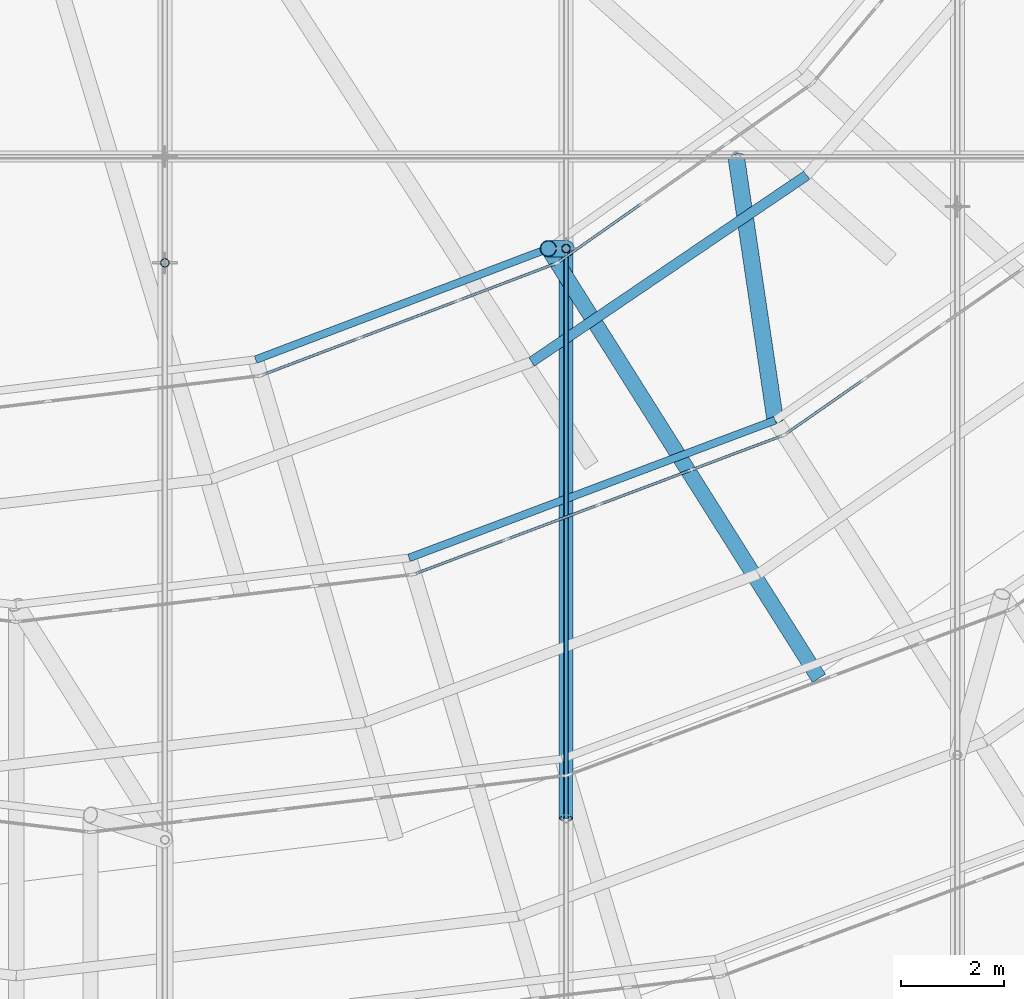
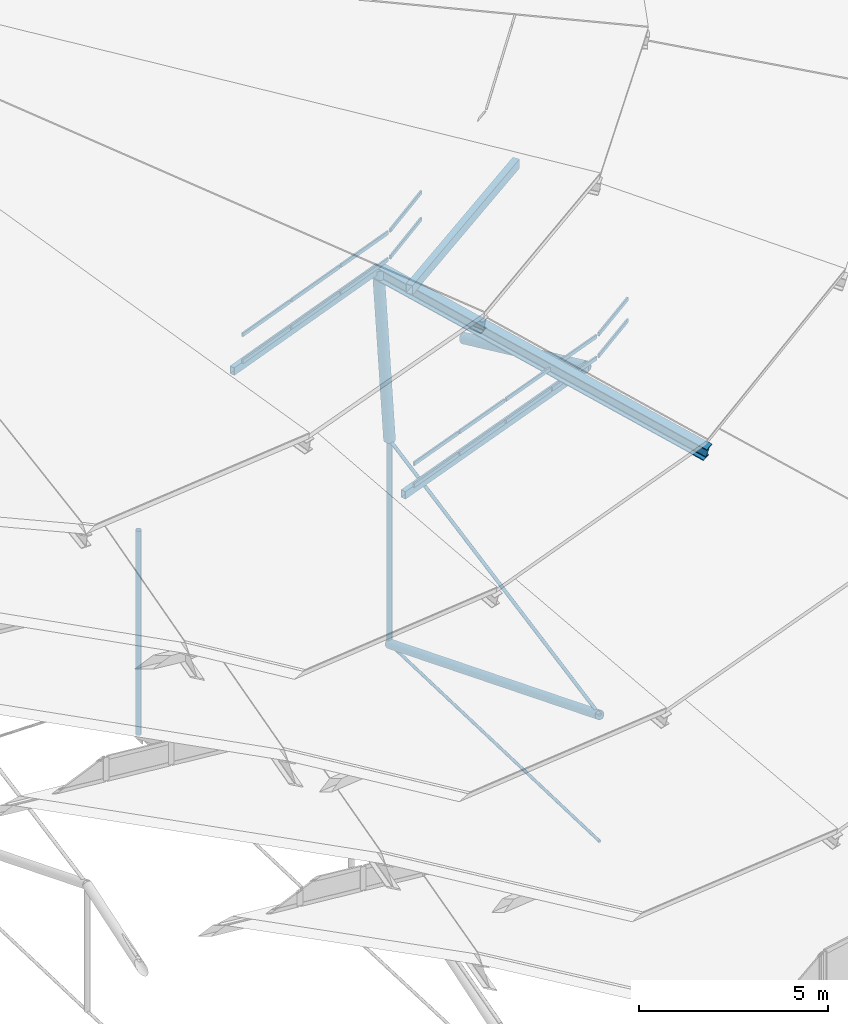
# One storey, part 24 of 173: 29 members, 4 elements without a shape of their own.
"""IFC4 building model written with IfcOpenShell, lengths in metres."""

from ifc_helpers import new_model, si_unit, direction, frame, origin, origin_2d, place, context, subcontext, project, spatial, rectangle, hollow_rectangle, circle, hollow_circle, i_section, extrude, material, material_profile, profile_set, type_object, element, aggregate, save


model = new_model("IFC4")

# Units and contexts
model_context = context("Model", 3, precision=1e-05, world=origin(), true_north=direction((0.0, 1.0)))
body_context = subcontext(model_context, "Body", "Model", "MODEL_VIEW")
ifc_project = project(units=[si_unit("LENGTHUNIT", "METRE"), si_unit("AREAUNIT", "SQUARE_METRE"), si_unit("VOLUMEUNIT", "CUBIC_METRE"), si_unit("PLANEANGLEUNIT", "RADIAN"), si_unit("MASSUNIT", "GRAM", prefix="KILO")], contexts=[model_context])

# Site, building, storey
site_placement = place(None, origin())
site = spatial("IfcSite", under=ifc_project, at=site_placement, CompositionType="ELEMENT")
building_placement = place(site_placement, origin())
building = spatial("IfcBuilding", under=site, at=building_placement, Name="Glasvene Arena", CompositionType="ELEMENT")
storey_placement = place(building_placement, frame((0.0, 0.0, 28.800048828125)))
storey = spatial("IfcBuildingStorey", under=building, at=storey_placement, Name="RF", CompositionType="ELEMENT", Elevation=28.800048828125)

# Curtain wall, members
ifc_material_1 = material(Name="Low-emissivity laminated double glazing", Category="glass")
curtain_wall_type_1 = type_object("IfcCurtainWallType", Name="CW-PET3-772x75", PredefinedType="USERDEFINED", material=ifc_material_1)
curtain_wall_1_placement = place(storey_placement, frame((96.8515625, 44.4267578125, 0.0)))
curtain_wall_1 = element("IfcCurtainWall", 1, at=curtain_wall_1_placement, inside=storey, type_object=curtain_wall_type_1, Name="Petal ring 3-4 clerestory curtain wall 20", ObjectType="CURTAIN WALL", PredefinedType="USERDEFINED")
ifc_material_2 = material(Name="Anodised architectural aluminium", Category="aluminium")
ifc_material_profile_1 = material_profile(ifc_material_2, rectangle(XDim=0.050048828125, YDim=0.1201171875, at=origin_2d()), Name="ALU TRANSOM 50x120")
ifc_profile_set_1 = profile_set([ifc_material_profile_1], Name="Anodised architectural aluminium")
member_type_1 = type_object("IfcMemberType", Name="CW-TRN-120", PredefinedType="USERDEFINED", material=ifc_profile_set_1)
member_1_placement = place(storey_placement, frame((96.8984375, 44.4443359375, 7.85498046875), z_axis=(0.935933620946, 0.352176457452, 0.0), x_axis=(-0.352176457452, 0.935933620946, 0.0)))
member_1 = element("IfcMember", 2, at=member_1_placement, type_object=member_type_1, Name="CW-097 transom 1.1", ObjectType="TRANSOM", PredefinedType="USERDEFINED", context=body_context, shape_type="SweptSolid", body=[
    extrude(rectangle(XDim=0.050048828125, YDim=0.1201171875, at=origin_2d()), origin(), (0.0, 0.0, 1.0), 1.8544921875),
])
member_2_placement = place(storey_placement, frame((96.8984375, 44.4443359375, 8.554931640625), z_axis=(0.935933620946, 0.352176457452, 0.0), x_axis=(-0.352176457452, 0.935933620946, 0.0)))
member_2 = element("IfcMember", 3, at=member_2_placement, type_object=member_type_1, Name="CW-097 transom 1.2", ObjectType="TRANSOM", PredefinedType="USERDEFINED", context=body_context, shape_type="SweptSolid", body=[
    extrude(rectangle(XDim=0.050048828125, YDim=0.1201171875, at=origin_2d()), origin(), (0.0, 0.0, 1.0), 1.8544921875),
])
member_3_placement = place(storey_placement, frame((98.680908203125, 45.114990234375, 7.85498046875), z_axis=(0.935981707796, 0.352048636798, 0.0), x_axis=(-0.352048636798, 0.935981707796, 0.0)))
member_3 = element("IfcMember", 4, at=member_3_placement, type_object=member_type_1, Name="CW-097 transom 2.1", ObjectType="TRANSOM", PredefinedType="USERDEFINED", context=body_context, shape_type="SweptSolid", body=[
    extrude(rectangle(XDim=0.050048828125, YDim=0.1201171875, at=origin_2d()), origin(), (0.0, 0.0, 1.0), 1.87939453125),
])
member_4_placement = place(storey_placement, frame((98.680908203125, 45.114990234375, 8.554931640625), z_axis=(0.935981707796, 0.352048636798, 0.0), x_axis=(-0.352048636798, 0.935981707796, 0.0)))
member_4 = element("IfcMember", 5, at=member_4_placement, type_object=member_type_1, Name="CW-097 transom 2.2", ObjectType="TRANSOM", PredefinedType="USERDEFINED", context=body_context, shape_type="SweptSolid", body=[
    extrude(rectangle(XDim=0.050048828125, YDim=0.1201171875, at=origin_2d()), origin(), (0.0, 0.0, 1.0), 1.87939453125),
])
member_5_placement = place(storey_placement, frame((100.48681640625, 45.794189453125, 7.85498046875), z_axis=(0.935938896958, 0.35216243576, 0.0), x_axis=(-0.35216243576, 0.935938896958, 0.0)))
member_5 = element("IfcMember", 6, at=member_5_placement, type_object=member_type_1, Name="CW-097 transom 3.1", ObjectType="TRANSOM", PredefinedType="USERDEFINED", context=body_context, shape_type="SweptSolid", body=[
    extrude(rectangle(XDim=0.050048828125, YDim=0.1201171875, at=origin_2d()), origin(), (0.0, 0.0, 1.0), 1.87939453125),
])
member_6_placement = place(storey_placement, frame((100.48681640625, 45.794189453125, 8.554931640625), z_axis=(0.935938896958, 0.35216243576, 0.0), x_axis=(-0.35216243576, 0.935938896958, 0.0)))
member_6 = element("IfcMember", 7, at=member_6_placement, type_object=member_type_1, Name="CW-097 transom 3.2", ObjectType="TRANSOM", PredefinedType="USERDEFINED", context=body_context, shape_type="SweptSolid", body=[
    extrude(rectangle(XDim=0.050048828125, YDim=0.1201171875, at=origin_2d()), origin(), (0.0, 0.0, 1.0), 1.87939453125),
])
member_7_placement = place(storey_placement, frame((102.29248046875, 46.4736328125, 7.85498046875), z_axis=(0.935993327029, 0.352017743527, 0.0), x_axis=(-0.352017743527, 0.935993327029, 0.0)))
member_7 = element("IfcMember", 8, at=member_7_placement, type_object=member_type_1, Name="CW-097 transom 4.1", ObjectType="TRANSOM", PredefinedType="USERDEFINED", context=body_context, shape_type="SweptSolid", body=[
    extrude(rectangle(XDim=0.050048828125, YDim=0.1201171875, at=origin_2d()), origin(), (0.0, 0.0, 1.0), 1.8544921875),
])
member_8_placement = place(storey_placement, frame((102.29248046875, 46.4736328125, 8.554931640625), z_axis=(0.935993327029, 0.352017743527, 0.0), x_axis=(-0.352017743527, 0.935993327029, 0.0)))
member_8 = element("IfcMember", 9, at=member_8_placement, type_object=member_type_1, Name="CW-097 transom 4.2", ObjectType="TRANSOM", PredefinedType="USERDEFINED", context=body_context, shape_type="SweptSolid", body=[
    extrude(rectangle(XDim=0.050048828125, YDim=0.1201171875, at=origin_2d()), origin(), (0.0, 0.0, 1.0), 1.8544921875),
])
aggregate(curtain_wall_1, [member_1, member_2, member_3, member_4, member_5, member_6, member_7, member_8])

curtain_wall_type_2 = type_object("IfcCurtainWallType", Name="CW-PET3-756x75", PredefinedType="USERDEFINED", material=ifc_material_1)
curtain_wall_2_placement = place(storey_placement, frame((104.074951171875, 47.14404296875, 0.0)))
curtain_wall_2 = element("IfcCurtainWall", 10, at=curtain_wall_2_placement, inside=storey, type_object=curtain_wall_type_2, Name="Petal ring 3-4 clerestory curtain wall 21", ObjectType="CURTAIN WALL", PredefinedType="USERDEFINED")
member_9_placement = place(storey_placement, frame((104.115966796875, 47.172607421875, 7.85498046875), z_axis=(0.82043066746, 0.571746027438, 0.0), x_axis=(-0.571746027438, 0.82043066746, 0.0)))
member_9 = element("IfcMember", 11, at=member_9_placement, type_object=member_type_1, Name="CW-096 transom 1.1", ObjectType="TRANSOM", PredefinedType="USERDEFINED", context=body_context, shape_type="SweptSolid", body=[
    extrude(rectangle(XDim=0.050048828125, YDim=0.1201171875, at=origin_2d()), origin(), (0.0, 0.0, 1.0), 1.815185546875),
])
member_10_placement = place(storey_placement, frame((104.115966796875, 47.172607421875, 8.554931640625), z_axis=(0.82043066746, 0.571746027438, 0.0), x_axis=(-0.571746027438, 0.82043066746, 0.0)))
member_10 = element("IfcMember", 12, at=member_10_placement, type_object=member_type_1, Name="CW-096 transom 1.2", ObjectType="TRANSOM", PredefinedType="USERDEFINED", context=body_context, shape_type="SweptSolid", body=[
    extrude(rectangle(XDim=0.050048828125, YDim=0.1201171875, at=origin_2d()), origin(), (0.0, 0.0, 1.0), 1.815185546875),
])
aggregate(curtain_wall_2, [member_9, member_10])

curtain_wall_type_3 = type_object("IfcCurtainWallType", Name="CW-PET4-619x92", PredefinedType="USERDEFINED", material=ifc_material_1)
curtain_wall_3_placement = place(storey_placement, frame((93.86181640625, 48.299560546875, 0.0)))
curtain_wall_3 = element("IfcCurtainWall", 13, at=curtain_wall_3_placement, inside=storey, type_object=curtain_wall_type_3, Name="Petal ring 4-5 clerestory curtain wall 20", ObjectType="CURTAIN WALL", PredefinedType="USERDEFINED")
member_11_placement = place(storey_placement, frame((93.908447265625, 48.3173828125, 10.554931640625), z_axis=(0.934868333805, 0.354994645662, 0.0), x_axis=(-0.354994645662, 0.934868333805, 0.0)))
member_11 = element("IfcMember", 14, at=member_11_placement, type_object=member_type_1, Name="CW-103 transom 1.1", ObjectType="TRANSOM", PredefinedType="USERDEFINED", context=body_context, shape_type="SweptSolid", body=[
    extrude(rectangle(XDim=0.050048828125, YDim=0.1201171875, at=origin_2d()), origin(), (0.0, 0.0, 1.0), 1.989013671875),
])
member_12_placement = place(storey_placement, frame((93.908447265625, 48.3173828125, 11.4208984375), z_axis=(0.934868333805, 0.354994645662, 0.0), x_axis=(-0.354994645662, 0.934868333805, 0.0)))
member_12 = element("IfcMember", 15, at=member_12_placement, type_object=member_type_1, Name="CW-103 transom 1.2", ObjectType="TRANSOM", PredefinedType="USERDEFINED", context=body_context, shape_type="SweptSolid", body=[
    extrude(rectangle(XDim=0.050048828125, YDim=0.1201171875, at=origin_2d()), origin(), (0.0, 0.0, 1.0), 1.989013671875),
])
member_13_placement = place(storey_placement, frame((95.814453125, 49.041015625, 10.554931640625), z_axis=(0.934886588793, 0.354946567944, 0.0), x_axis=(-0.354946567944, 0.934886588793, 0.0)))
member_13 = element("IfcMember", 16, at=member_13_placement, type_object=member_type_1, Name="CW-103 transom 2.1", ObjectType="TRANSOM", PredefinedType="USERDEFINED", context=body_context, shape_type="SweptSolid", body=[
    extrude(rectangle(XDim=0.050048828125, YDim=0.1201171875, at=origin_2d()), origin(), (0.0, 0.0, 1.0), 2.013916015625),
])
member_14_placement = place(storey_placement, frame((95.814453125, 49.041015625, 11.4208984375), z_axis=(0.934886588793, 0.354946567944, 0.0), x_axis=(-0.354946567944, 0.934886588793, 0.0)))
member_14 = element("IfcMember", 17, at=member_14_placement, type_object=member_type_1, Name="CW-103 transom 2.2", ObjectType="TRANSOM", PredefinedType="USERDEFINED", context=body_context, shape_type="SweptSolid", body=[
    extrude(rectangle(XDim=0.050048828125, YDim=0.1201171875, at=origin_2d()), origin(), (0.0, 0.0, 1.0), 2.013916015625),
])
member_15_placement = place(storey_placement, frame((97.743896484375, 49.773681640625, 10.554931640625), z_axis=(0.934868333805, 0.354994645662, 0.0), x_axis=(-0.354994645662, 0.934868333805, 0.0)))
member_15 = element("IfcMember", 18, at=member_15_placement, type_object=member_type_1, Name="CW-103 transom 3.1", ObjectType="TRANSOM", PredefinedType="USERDEFINED", context=body_context, shape_type="SweptSolid", body=[
    extrude(rectangle(XDim=0.050048828125, YDim=0.1201171875, at=origin_2d()), origin(), (0.0, 0.0, 1.0), 1.989013671875),
])
member_16_placement = place(storey_placement, frame((97.743896484375, 49.773681640625, 11.4208984375), z_axis=(0.934868333805, 0.354994645662, 0.0), x_axis=(-0.354994645662, 0.934868333805, 0.0)))
member_16 = element("IfcMember", 19, at=member_16_placement, type_object=member_type_1, Name="CW-103 transom 3.2", ObjectType="TRANSOM", PredefinedType="USERDEFINED", context=body_context, shape_type="SweptSolid", body=[
    extrude(rectangle(XDim=0.050048828125, YDim=0.1201171875, at=origin_2d()), origin(), (0.0, 0.0, 1.0), 1.989013671875),
])
aggregate(curtain_wall_3, [member_11, member_12, member_13, member_14, member_15, member_16])

curtain_wall_type_4 = type_object("IfcCurtainWallType", Name="CW-PET4-608x92", PredefinedType="USERDEFINED", material=ifc_material_1)
curtain_wall_4_placement = place(storey_placement, frame((99.64990234375, 50.497314453125, 0.0)))
curtain_wall_4 = element("IfcCurtainWall", 20, at=curtain_wall_4_placement, inside=storey, type_object=curtain_wall_type_4, Name="Petal ring 4-5 clerestory curtain wall 21", ObjectType="CURTAIN WALL", PredefinedType="USERDEFINED")
member_17_placement = place(storey_placement, frame((99.69091796875, 50.526123046875, 10.554931640625), z_axis=(0.81790676282, 0.575350786333, 0.0), x_axis=(-0.575350786333, 0.81790676282, 0.0)))
member_17 = element("IfcMember", 21, at=member_17_placement, type_object=member_type_1, Name="CW-102 transom 1.1", ObjectType="TRANSOM", PredefinedType="USERDEFINED", context=body_context, shape_type="SweptSolid", body=[
    extrude(rectangle(XDim=0.050048828125, YDim=0.1201171875, at=origin_2d()), origin(), (0.0, 0.0, 1.0), 1.95068359375),
])
member_18_placement = place(storey_placement, frame((99.69091796875, 50.526123046875, 11.4208984375), z_axis=(0.81790676282, 0.575350786333, 0.0), x_axis=(-0.575350786333, 0.81790676282, 0.0)))
member_18 = element("IfcMember", 22, at=member_18_placement, type_object=member_type_1, Name="CW-102 transom 1.2", ObjectType="TRANSOM", PredefinedType="USERDEFINED", context=body_context, shape_type="SweptSolid", body=[
    extrude(rectangle(XDim=0.050048828125, YDim=0.1201171875, at=origin_2d()), origin(), (0.0, 0.0, 1.0), 1.95068359375),
])
aggregate(curtain_wall_4, [member_17, member_18])

# Members
ifc_material_3 = material(Name="High-strength steel spiral strand S460", Category="steel")
ifc_material_profile_2 = material_profile(ifc_material_3, circle(Radius=0.052490234375, at=origin_2d()), Name="LCSS D105")
ifc_profile_set_2 = profile_set([ifc_material_profile_2], Name="High-strength steel spiral strand S460")
member_type_2 = type_object("IfcMemberType", Name="MB-CABLE-105", PredefinedType="USERDEFINED", material=ifc_profile_set_2)
member_19_placement = place(storey_placement, frame((99.82177734375, 39.66552734375, 2.328857421875), z_axis=(0.0, 0.981888230216, 0.189461086673), x_axis=(-1.0, 0.0, 0.0)))
element("IfcMember", 23, at=member_19_placement, inside=storey, type_object=member_type_2, Name="Upper lens roof cable NS04-02", ObjectType="ROOF CABLE", PredefinedType="USERDEFINED", context=body_context, shape_type="SweptSolid", body=[
    extrude(circle(Radius=0.052490234375, at=origin_2d()), origin(), (0.0, 0.0, 1.0), 11.316650390625),
])
ifc_material_profile_3 = material_profile(ifc_material_3, circle(Radius=0.044921875, at=origin_2d()), Name="LCSS D90")
ifc_profile_set_3 = profile_set([ifc_material_profile_3], Name="High-strength steel spiral strand S460")
member_type_3 = type_object("IfcMemberType", Name="MB-CABLE-90", PredefinedType="USERDEFINED", material=ifc_profile_set_3)
member_20_placement = place(storey_placement, frame((99.82177734375, 39.66552734375, -1.753173828125), z_axis=(0.0, 0.999477394294, -0.032325505337), x_axis=(-1.0, 0.0, 0.0)))
element("IfcMember", 24, at=member_20_placement, inside=storey, type_object=member_type_3, Name="Lower stabilization roof cable NS04-02", ObjectType="ROOF CABLE", PredefinedType="USERDEFINED", context=body_context, shape_type="SweptSolid", body=[
    extrude(circle(Radius=0.044921875, at=origin_2d()), origin(), (0.0, 0.0, 1.0), 11.117431640625),
])
ifc_material_4 = material(Name="Steel S355J2", Category="steel")
ifc_material_profile_4 = material_profile(ifc_material_4, i_section(OverallWidth=0.300048828125, OverallDepth=0.39990234375, WebThickness=0.013427734375, FlangeThickness=0.02392578125, FilletRadius=0.027099609375, at=origin_2d()), Name="HEB 400")
ifc_profile_set_4 = profile_set([ifc_material_profile_4], Name="Steel S355J2")
member_type_4 = type_object("IfcMemberType", Name="MB-CHORD-HEB400", PredefinedType="CHORD", material=ifc_profile_set_4)
member_21_placement = place(storey_placement, frame((104.72509765625, 42.443359375, 7.39990234375), z_axis=(-0.514683099952, 0.817068994892, 0.259806782458), x_axis=(-0.8461243803, -0.532985490479, 0.0)))
element("IfcMember", 25, at=member_21_placement, inside=storey, type_object=member_type_4, Name="Petal ring 4 radial rib 21", PredefinedType="CHORD", context=body_context, shape_type="SweptSolid", body=[
    extrude(i_section(OverallWidth=0.300048828125, OverallDepth=0.39990234375, WebThickness=0.013427734375, FlangeThickness=0.02392578125, FilletRadius=0.027099609375, at=origin_2d()), origin(), (0.0, 0.0, 1.0), 10.200439453125),
])
ifc_material_profile_5 = material_profile(ifc_material_4, hollow_circle(Radius=0.161865234375, WallThickness=0.01611328125, at=origin_2d()), Name="CHS 323.9x16.0")
ifc_profile_set_5 = profile_set([ifc_material_profile_5], Name="Steel S355J2")
member_type_5 = type_object("IfcMemberType", Name="MB-POST-CHS324", PredefinedType="BRACE", material=ifc_profile_set_5)
member_22_placement = place(storey_placement, frame((103.1376953125, 52.5703125, 5.499267578125), z_axis=(0.13749774969, -0.927118875309, 0.348632987361), x_axis=(0.989180744035, 0.146701927836, 0.0)))
element("IfcMember", 26, at=member_22_placement, inside=storey, type_object=member_type_5, Name="Petal ring 3 ridge support post 21", PredefinedType="BRACE", context=body_context, shape_type="SweptSolid", body=[
    extrude(hollow_circle(Radius=0.161865234375, WallThickness=0.01611328125, at=origin_2d()), origin(), (0.0, 0.0, 1.0), 5.54345703125),
])
member_23_placement = place(storey_placement, frame((99.82177734375, 50.777099609375, 4.472900390625), z_axis=(-0.061147710504, 0.000129185304, 0.99812871956), x_axis=(-0.002112671341, -0.999997768307, 0.0)))
element("IfcMember", 27, at=member_23_placement, inside=storey, type_object=member_type_5, Name="Petal ring 4 ridge support post 21", PredefinedType="BRACE", context=body_context, shape_type="SweptSolid", body=[
    extrude(hollow_circle(Radius=0.161865234375, WallThickness=0.01611328125, at=origin_2d()), origin(), (0.0, 0.0, 1.0), 5.66943359375),
])
ifc_material_profile_6 = material_profile(ifc_material_4, hollow_rectangle(XDim=0.14990234375, YDim=0.25, WallThickness=0.010009765625, at=origin_2d()), Name="RHS 250x150x10.0")
ifc_profile_set_6 = profile_set([ifc_material_profile_6], Name="Steel S355J2")
member_type_6 = type_object("IfcMemberType", Name="MB-PURLIN-RHS250", PredefinedType="PURLIN", material=ifc_profile_set_6)
member_24_placement = place(storey_placement, frame((96.760986328125, 44.74658203125, 7.431884765625), z_axis=(0.936017035624, 0.3519546974, 0.0), x_axis=(-0.3519546974, 0.936017035624, 0.0)))
element("IfcMember", 28, at=member_24_placement, inside=storey, type_object=member_type_6, Name="Petal ring 3 ridge purlin 20", PredefinedType="PURLIN", context=body_context, shape_type="SweptSolid", body=[
    extrude(hollow_rectangle(XDim=0.14990234375, YDim=0.25, WallThickness=0.010009765625, at=origin_2d()), origin(), (0.0, 0.0, 1.0), 7.626953125),
])
member_25_placement = place(storey_placement, frame((93.77099609375, 48.6123046875, 10.1318359375), z_axis=(0.934894081641, 0.354926832056, 0.0), x_axis=(-0.354926832056, 0.934894081641, 0.0)))
element("IfcMember", 29, at=member_25_placement, inside=storey, type_object=member_type_6, Name="Petal ring 4 ridge purlin 20", PredefinedType="PURLIN", context=body_context, shape_type="SweptSolid", body=[
    extrude(hollow_rectangle(XDim=0.14990234375, YDim=0.25, WallThickness=0.010009765625, at=origin_2d()), origin(), (0.0, 0.0, 1.0), 6.101318359375),
])
ifc_material_profile_7 = material_profile(ifc_material_4, hollow_rectangle(XDim=0.199951171875, YDim=0.300048828125, WallThickness=0.012451171875, at=origin_2d()), Name="RHS 300x200x12.5")
ifc_profile_set_7 = profile_set([ifc_material_profile_7], Name="Steel S355J2")
member_type_7 = type_object("IfcMemberType", Name="MB-PURLIN-RHS300", PredefinedType="PURLIN", material=ifc_profile_set_7)
member_26_placement = place(storey_placement, frame((99.14990234375, 48.568115234375, 10.9013671875), z_axis=(0.827538267337, 0.561409312439, 0.0), x_axis=(-0.561409312439, 0.827538267337, 0.0)))
element("IfcMember", 30, at=member_26_placement, inside=storey, type_object=member_type_7, Name="Petal ring 5 outer purlin 21", PredefinedType="PURLIN", context=body_context, shape_type="SweptSolid", body=[
    extrude(hollow_rectangle(XDim=0.199951171875, YDim=0.300048828125, WallThickness=0.012451171875, at=origin_2d()), origin(), (0.0, 0.0, 1.0), 6.482177734375),
])
ifc_material_profile_8 = material_profile(ifc_material_4, hollow_circle(Radius=0.084228515625, WallThickness=0.008056640625, at=origin_2d()), Name="CHS 168.3x8.0")
ifc_profile_set_8 = profile_set([ifc_material_profile_8], Name="Steel S355J2")
member_type_8 = type_object("IfcMemberType", Name="MB-WEB-CHS168", PredefinedType="BRACE", material=ifc_profile_set_8)
for number, where, z_axis, x_axis, name in (
    (31, (99.82177734375, 50.777099609375, -2.112548828125), (0.0, 0.0, 1.0), (1.0, 0.0, 0.0), "Cable-truss vertical strut NS04-02"),
    (32, (92.0, 50.5, -2.112548828125), (0.0, 0.0, 1.0), (1.0, 0.0, 0.0), "Cable-truss vertical strut NS05-02"),
):
    element("IfcMember", number, at=place(storey_placement, frame(where, z_axis=z_axis, x_axis=x_axis)), inside=storey, type_object=member_type_8, Name=name, PredefinedType="BRACE", context=body_context, shape_type="SweptSolid", body=[
        extrude(hollow_circle(Radius=0.084228515625, WallThickness=0.008056640625, at=origin_2d()), origin(), (0.0, 0.0, 1.0), 6.58544921875),
    ])
ifc_material_profile_9 = material_profile(ifc_material_4, hollow_circle(Radius=0.136474609375, WallThickness=0.012451171875, at=origin_2d()), Name="CHS 273.0x12.5")
ifc_profile_set_9 = profile_set([ifc_material_profile_9], Name="Steel S355J2")
member_type_9 = type_object("IfcMemberType", Name="MB-WEB-CHS273", PredefinedType="BRACE", material=ifc_profile_set_9)
member_27_placement = place(storey_placement, frame((99.82177734375, 39.66552734375, 2.328857421875), z_axis=(0.0, 0.928569527465, -0.371158500728), x_axis=(-1.0, 0.0, 0.0)))
element("IfcMember", 33, at=member_27_placement, inside=storey, type_object=member_type_9, Name="Cable-truss diagonal web strut NS04-02", PredefinedType="BRACE", context=body_context, shape_type="SweptSolid", body=[
    extrude(hollow_circle(Radius=0.136474609375, WallThickness=0.012451171875, at=origin_2d()), origin(), (0.0, 0.0, 1.0), 11.96630859375),
])

save(model, "model.ifc")
